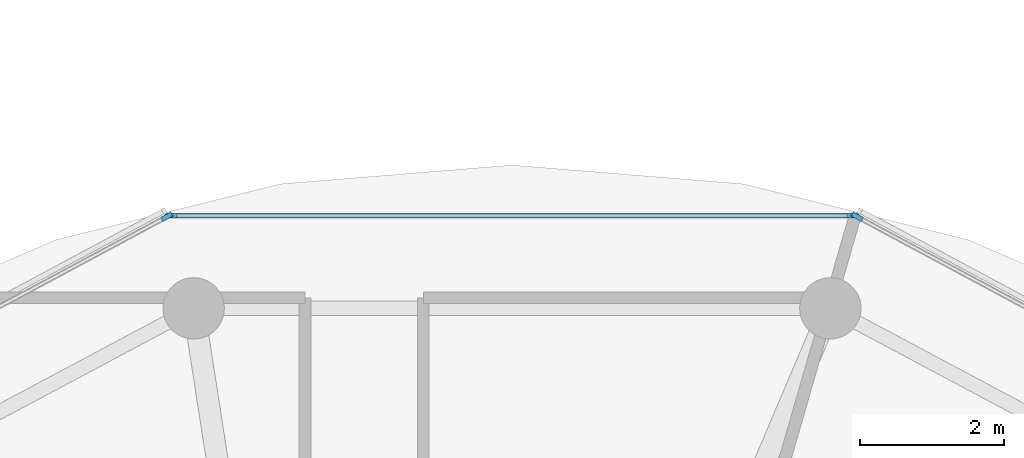
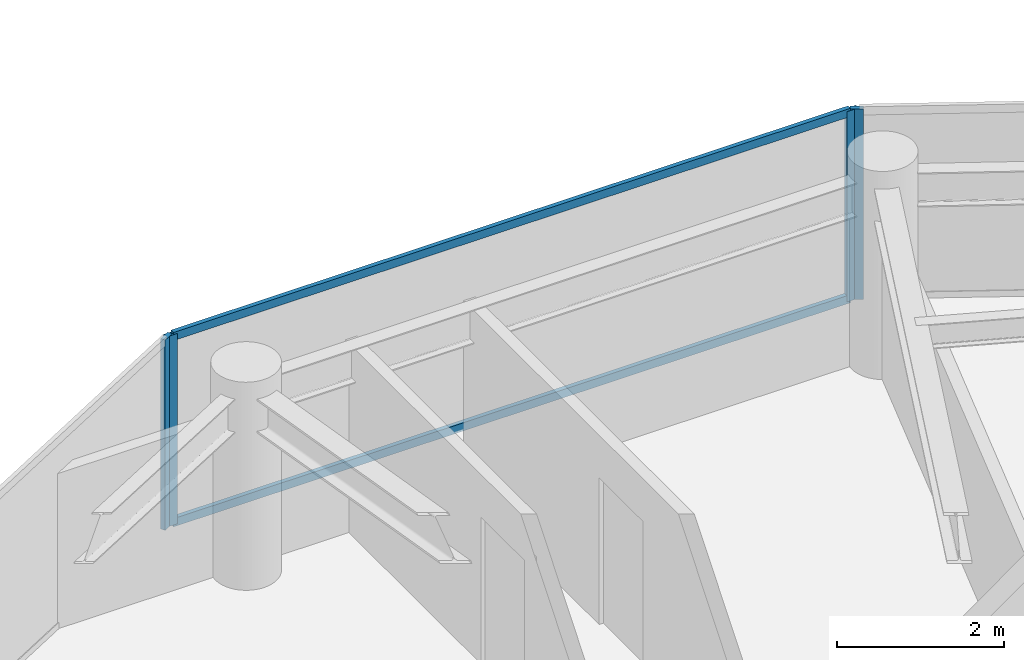
# One storey, part 9 of 24: 6 members, 3 elements without a shape of their own.
"""IFC4 building model written with IfcOpenShell, lengths in metres."""

from ifc_helpers import new_model, si_unit, direction, frame, origin, origin_2d, place, context, subcontext, project, spatial, rectangle, extrude, source, transform, mapped, material, layer, layer_set, material_profile, profile_set, type_object, type_shapes, element, aggregate, save


model = new_model("IFC4")

# Units and contexts
model_context = context("Model", 3, precision=1e-05, world=origin(), true_north=direction((0.0, 1.0)))
body_context = subcontext(model_context, "Body", "Model", "MODEL_VIEW")
ifc_project = project(units=[si_unit("LENGTHUNIT", "METRE"), si_unit("AREAUNIT", "SQUARE_METRE"), si_unit("VOLUMEUNIT", "CUBIC_METRE"), si_unit("PLANEANGLEUNIT", "RADIAN"), si_unit("MASSUNIT", "GRAM", prefix="KILO")], contexts=[model_context])

# Site, building, storey
site_placement = place(None, origin())
site = spatial("IfcSite", under=ifc_project, at=site_placement, CompositionType="ELEMENT")
building_placement = place(site_placement, origin())
building = spatial("IfcBuilding", under=site, at=building_placement, Name="Norrkilde Senior Care Towers", CompositionType="ELEMENT")
storey_placement = place(building_placement, frame((0.0, 0.0, 108.449951171875)))
storey = spatial("IfcBuildingStorey", under=building, at=storey_placement, Name="L33", CompositionType="ELEMENT", Elevation=108.449951171875)

# Curtain wall, member
ifc_material_1 = material(Name="Triple Low-E Insulated Glazing", Category="glass")
ifc_layer = layer(ifc_material_1, 0.195068359375)
ifc_layer_set = layer_set([ifc_layer], Name="Triple Low-E Insulated Glazing")
curtain_wall_type = type_object("IfcCurtainWallType", Name="CW3 Zone 2 Assisted Living Curtain Wall", PredefinedType="NOTDEFINED", material=ifc_layer_set)
curtain_wall_1_placement = place(storey_placement, origin())
curtain_wall_1 = element("IfcCurtainWall", 1, at=curtain_wall_1_placement, inside=storey, type_object=curtain_wall_type, Name="L33 Drum W Curtain Wall 01", PredefinedType="NOTDEFINED")
ifc_material_2 = material(Name="Anodised Aluminium", Category="aluminium")
ifc_material_profile_1 = material_profile(ifc_material_2, rectangle(XDim=0.06494140625, YDim=0.159912109375, at=origin_2d()), Name="ALU MULL 65x160")
ifc_profile_set_1 = profile_set([ifc_material_profile_1], Name="Anodised Aluminium")
member_type_1 = type_object("IfcMemberType", Name="Curtain Wall Mullion Z1-Z2 65x160", PredefinedType="MULLION", material=ifc_profile_set_1)
shared_shape_1 = source(origin(), body_context, "Body", "SweptSolid", [
    extrude(rectangle(XDim=0.06494140625, YDim=0.159912109375, at=origin_2d()), origin(), (0.0, 0.0, 1.0), 2.7900390625),
])
type_shapes(member_type_1, [shared_shape_1])
member_1_placement = place(storey_placement, frame((-21.164306640625, 16.482666015625, 0.0), z_axis=(0.0, 0.0, 1.0), x_axis=(0.472769402511, 0.881186184668, 0.0)))
member_1 = element("IfcMember", 2, at=member_1_placement, type_object=member_type_1, Name="CW-3 mullion 1", PredefinedType="MULLION", context=body_context, shape_type="MappedRepresentation", body=[
    mapped(shared_shape_1, transform((0.0, 0.0, 0.0), x_axis=(1.0, 0.0, 0.0), y_axis=(0.0, 1.0, 0.0), z_axis=(0.0, 0.0, 1.0), scale=1.0)),
])
aggregate(curtain_wall_1, [member_1])

# Curtain wall, members
curtain_wall_2_placement = place(storey_placement, origin())
curtain_wall_2 = element("IfcCurtainWall", 3, at=curtain_wall_2_placement, inside=storey, type_object=curtain_wall_type, Name="L33 Drum W Curtain Wall 02", PredefinedType="NOTDEFINED")
member_2_placement = place(storey_placement, frame((-30.674560546875, 16.498046875, 0.0), z_axis=(0.0, 0.0, 1.0), x_axis=(0.0, 1.0, 0.0)))
member_2 = element("IfcMember", 4, at=member_2_placement, type_object=member_type_1, Name="CW-3 mullion 1", PredefinedType="MULLION", context=body_context, shape_type="MappedRepresentation", body=[
    mapped(shared_shape_1, transform((0.0, 0.0, 0.0), x_axis=(1.0, 0.0, 0.0), y_axis=(0.0, 1.0, 0.0), z_axis=(0.0, 0.0, 1.0), scale=1.0)),
])
member_3_placement = place(storey_placement, frame((-21.225341796875, 16.498046875, 0.0), z_axis=(0.0, 0.0, 1.0), x_axis=(0.0, 1.0, 0.0)))
member_3 = element("IfcMember", 5, at=member_3_placement, type_object=member_type_1, Name="CW-3 mullion 2", PredefinedType="MULLION", context=body_context, shape_type="MappedRepresentation", body=[
    mapped(shared_shape_1, transform((0.0, 0.0, 0.0), x_axis=(1.0, 0.0, 0.0), y_axis=(0.0, 1.0, 0.0), z_axis=(0.0, 0.0, 1.0), scale=1.0)),
])

# Curtain wall, member
curtain_wall_3_placement = place(storey_placement, origin())
curtain_wall_3 = element("IfcCurtainWall", 6, at=curtain_wall_3_placement, inside=storey, type_object=curtain_wall_type, Name="L33 Drum W Curtain Wall 03", PredefinedType="NOTDEFINED")
member_4_placement = place(storey_placement, frame((-30.73583984375, 16.482666015625, 0.0), z_axis=(0.0, 0.0, 1.0), x_axis=(-0.472769402511, 0.881186184668, 0.0)))
member_4 = element("IfcMember", 7, at=member_4_placement, type_object=member_type_1, Name="CW-3 mullion 2", PredefinedType="MULLION", context=body_context, shape_type="MappedRepresentation", body=[
    mapped(shared_shape_1, transform((0.0, 0.0, 0.0), x_axis=(1.0, 0.0, 0.0), y_axis=(0.0, 1.0, 0.0), z_axis=(0.0, 0.0, 1.0), scale=1.0)),
])
aggregate(curtain_wall_3, [member_4])

# Member
ifc_material_profile_2 = material_profile(ifc_material_2, rectangle(XDim=0.06005859375, YDim=0.1201171875, at=origin_2d()), Name="ALU TRAN 60x120")
ifc_profile_set_2 = profile_set([ifc_material_profile_2], Name="Anodised Aluminium")
member_type_2 = type_object("IfcMemberType", Name="Curtain Wall Transom Typical 60x120", PredefinedType="USERDEFINED", material=ifc_profile_set_2)
shared_shape_2 = source(origin(), body_context, "Body", "SweptSolid", [
    extrude(rectangle(XDim=0.06005859375, YDim=0.1201171875, at=origin_2d()), origin(), (0.0, 0.0, 1.0), 9.38427734375),
])
type_shapes(member_type_2, [shared_shape_2])
member_5_placement = place(storey_placement, frame((-30.64208984375, 16.498046875, 0.030029296875), z_axis=(1.0, 0.0, 0.0), x_axis=(0.0, 1.0, 0.0)))
member_5 = element("IfcMember", 8, at=member_5_placement, type_object=member_type_2, Name="CW-3 transom 1.1", ObjectType="TRANSOM", PredefinedType="USERDEFINED", context=body_context, shape_type="MappedRepresentation", body=[
    mapped(shared_shape_2, transform((0.0, 0.0, 0.0), x_axis=(1.0, 0.0, 0.0), y_axis=(0.0, 1.0, 0.0), z_axis=(0.0, 0.0, 1.0), scale=1.0)),
])

member_6_placement = place(storey_placement, frame((-30.64208984375, 16.498046875, 2.760009765625), z_axis=(1.0, 0.0, 0.0), x_axis=(0.0, 1.0, 0.0)))
member_6 = element("IfcMember", 9, at=member_6_placement, type_object=member_type_2, Name="CW-3 transom 1.2", ObjectType="TRANSOM", PredefinedType="USERDEFINED", context=body_context, shape_type="MappedRepresentation", body=[
    mapped(shared_shape_2, transform((0.0, 0.0, 0.0), x_axis=(1.0, 0.0, 0.0), y_axis=(0.0, 1.0, 0.0), z_axis=(0.0, 0.0, 1.0), scale=1.0)),
])

aggregate(curtain_wall_2, [member_2, member_3, member_5, member_6])

save(model, "model.ifc")
